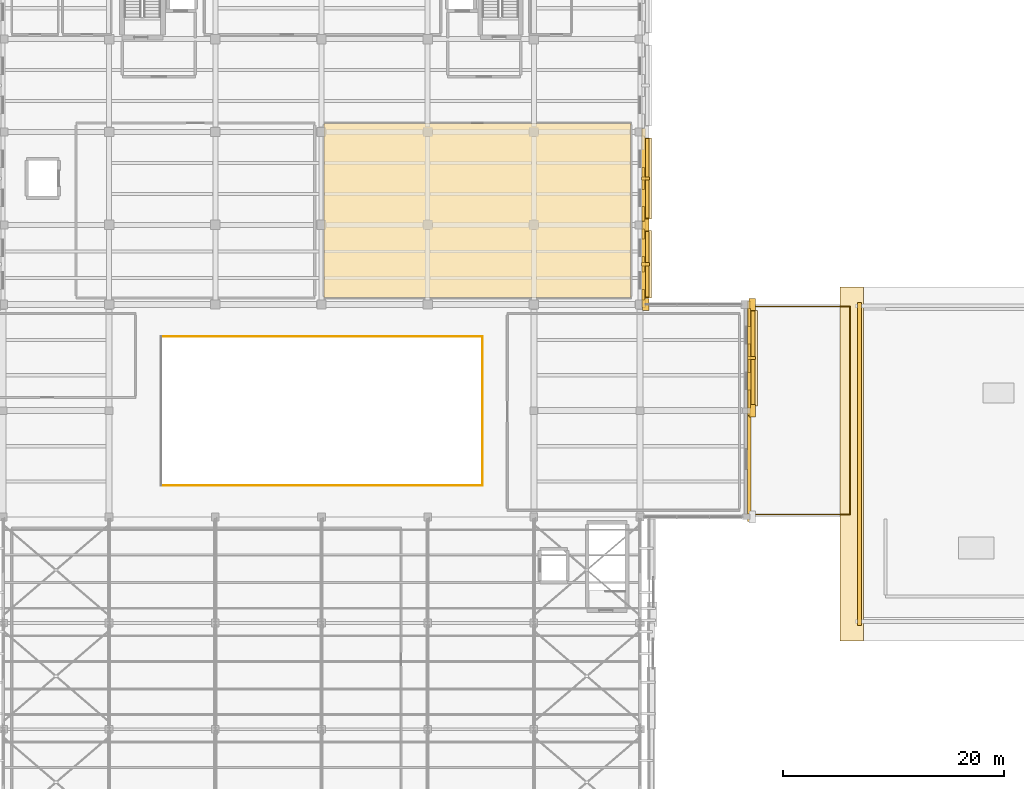
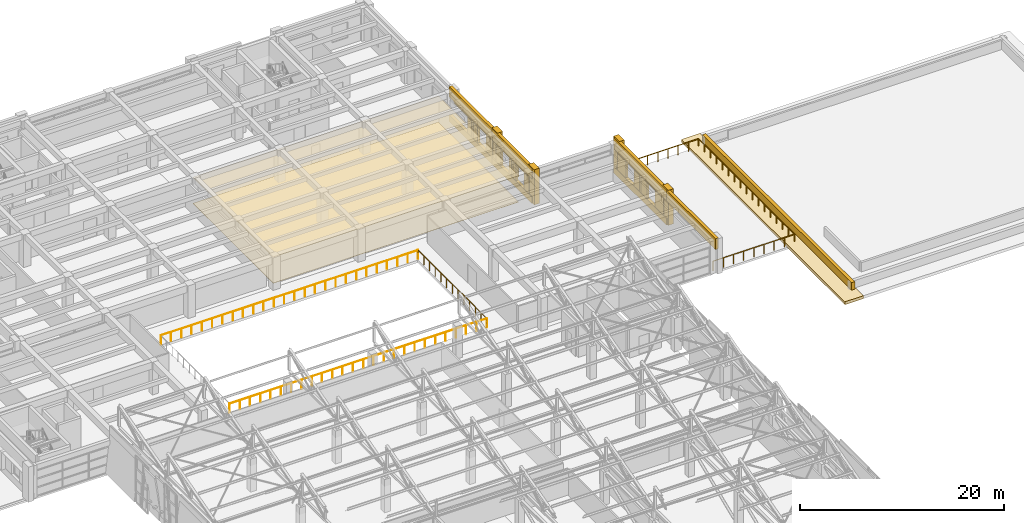
# One storey, part 69 of 71: 29 coverings, 4 railings, 3 shading devices.
"""IFC4 building model written with IfcOpenShell, lengths in metres."""

from ifc_helpers import new_model, si_unit, direction, frame, origin, origin_2d, place, context, subcontext, project, spatial, polyline, rectangle, circle, outline, extrude, material, layer, layer_set, type_object, element, save


model = new_model("IFC4")

# Units and contexts
model_context = context("Model", 3, precision=1e-05, world=origin(), true_north=direction((0.0, 1.0)))
body_context = subcontext(model_context, "Body", "Model", "MODEL_VIEW")
ifc_project = project(units=[si_unit("LENGTHUNIT", "METRE"), si_unit("AREAUNIT", "SQUARE_METRE"), si_unit("VOLUMEUNIT", "CUBIC_METRE"), si_unit("PLANEANGLEUNIT", "RADIAN"), si_unit("MASSUNIT", "GRAM", prefix="KILO")], contexts=[model_context])

# Site, building, storey
site_placement = place(None, origin())
site = spatial("IfcSite", under=ifc_project, at=site_placement, CompositionType="ELEMENT")
building_placement = place(site_placement, origin())
building = spatial("IfcBuilding", under=site, at=building_placement, Name="Bempovik Park Faculty of Sciences", CompositionType="ELEMENT")
storey_placement = place(building_placement, frame((0.0, 0.0, 14.10009765625)))
storey = spatial("IfcBuildingStorey", under=building, at=storey_placement, Name="L03", CompositionType="ELEMENT", Elevation=14.10009765625)

# Railing
ifc_material_1 = material(Name="Precast concrete C40/50", Category="concrete")
railing_type_1 = type_object("IfcRailingType", Name="BL-01 Terrace Balustrade 1150mm", PredefinedType="BALUSTRADE", material=ifc_material_1)
railing_1_placement = place(storey_placement, frame((127.39990234375, 68.0, 0.0)))
element("IfcRailing", 1, at=railing_1_placement, inside=storey, type_object=railing_type_1, Name="Terrace Classical Balustrade BAL-L03-E", PredefinedType="BALUSTRADE", context=body_context, shape_type="SweptSolid", body=[
    extrude(circle(Radius=0.02392578125, at=origin_2d()), frame((0.0, 0.0, 1.1259765625), z_axis=(1.0, 0.0, 0.0), x_axis=(0.0, 1.0, 0.0)), (0.0, 0.0, 1.0), 9.2001953125),
    extrude(circle(Radius=0.02392578125, at=origin_2d()), frame((9.2001953125, 0.0, 1.1259765625), z_axis=(0.0, 1.0, 0.0), x_axis=(-1.0, 0.0, 0.0)), (0.0, 0.0, 1.0), 18.800048828125),
    extrude(circle(Radius=0.02392578125, at=origin_2d()), frame((9.2001953125, 18.800048828125, 1.1259765625), z_axis=(-1.0, 0.0, 0.0), x_axis=(0.0, -1.0, 0.0)), (0.0, 0.0, 1.0), 9.2001953125),
    extrude(circle(Radius=0.02099609375, at=origin_2d()), origin(), (0.0, 0.0, 1.0), 1.101806640625),
    extrude(circle(Radius=0.02099609375, at=origin_2d()), frame((1.14990234375, 0.0, 0.0)), (0.0, 0.0, 1.0), 1.101806640625),
    extrude(circle(Radius=0.02099609375, at=origin_2d()), frame((2.300048828125, 0.0, 0.0)), (0.0, 0.0, 1.0), 1.101806640625),
    extrude(circle(Radius=0.02099609375, at=origin_2d()), frame((3.4501953125, 0.0, 0.0)), (0.0, 0.0, 1.0), 1.101806640625),
    extrude(circle(Radius=0.02099609375, at=origin_2d()), frame((4.60009765625, 0.0, 0.0)), (0.0, 0.0, 1.0), 1.101806640625),
    extrude(circle(Radius=0.02099609375, at=origin_2d()), frame((5.75, 0.0, 0.0)), (0.0, 0.0, 1.0), 1.101806640625),
    extrude(circle(Radius=0.02099609375, at=origin_2d()), frame((6.900146484375, 0.0, 0.0)), (0.0, 0.0, 1.0), 1.101806640625),
    extrude(circle(Radius=0.02099609375, at=origin_2d()), frame((8.05029296875, 0.0, 0.0)), (0.0, 0.0, 1.0), 1.101806640625),
    extrude(circle(Radius=0.02099609375, at=origin_2d()), frame((9.2001953125, 0.0, 0.0)), (0.0, 0.0, 1.0), 1.101806640625),
    extrude(circle(Radius=0.02099609375, at=origin_2d()), frame((9.2001953125, 1.175048828125, 0.0)), (0.0, 0.0, 1.0), 1.101806640625),
    extrude(circle(Radius=0.02099609375, at=origin_2d()), frame((9.2001953125, 2.35009765625, 0.0)), (0.0, 0.0, 1.0), 1.101806640625),
    extrude(circle(Radius=0.02099609375, at=origin_2d()), frame((9.2001953125, 3.52490234375, 0.0)), (0.0, 0.0, 1.0), 1.101806640625),
    extrude(circle(Radius=0.02099609375, at=origin_2d()), frame((9.2001953125, 4.699951171875, 0.0)), (0.0, 0.0, 1.0), 1.101806640625),
    extrude(circle(Radius=0.02099609375, at=origin_2d()), frame((9.2001953125, 5.875, 0.0)), (0.0, 0.0, 1.0), 1.101806640625),
    extrude(circle(Radius=0.02099609375, at=origin_2d()), frame((9.2001953125, 7.050048828125, 0.0)), (0.0, 0.0, 1.0), 1.101806640625),
    extrude(circle(Radius=0.02099609375, at=origin_2d()), frame((9.2001953125, 8.22509765625, 0.0)), (0.0, 0.0, 1.0), 1.101806640625),
    extrude(circle(Radius=0.02099609375, at=origin_2d()), frame((9.2001953125, 9.39990234375, 0.0)), (0.0, 0.0, 1.0), 1.101806640625),
    extrude(circle(Radius=0.02099609375, at=origin_2d()), frame((9.2001953125, 10.574951171875, 0.0)), (0.0, 0.0, 1.0), 1.101806640625),
    extrude(circle(Radius=0.02099609375, at=origin_2d()), frame((9.2001953125, 11.75, 0.0)), (0.0, 0.0, 1.0), 1.101806640625),
    extrude(circle(Radius=0.02099609375, at=origin_2d()), frame((9.2001953125, 12.925048828125, 0.0)), (0.0, 0.0, 1.0), 1.101806640625),
    extrude(circle(Radius=0.02099609375, at=origin_2d()), frame((9.2001953125, 14.10009765625, 0.0)), (0.0, 0.0, 1.0), 1.101806640625),
    extrude(circle(Radius=0.02099609375, at=origin_2d()), frame((9.2001953125, 15.275146484375, 0.0)), (0.0, 0.0, 1.0), 1.101806640625),
    extrude(circle(Radius=0.02099609375, at=origin_2d()), frame((9.2001953125, 16.449951171875, 0.0)), (0.0, 0.0, 1.0), 1.101806640625),
    extrude(circle(Radius=0.02099609375, at=origin_2d()), frame((9.2001953125, 17.625, 0.0)), (0.0, 0.0, 1.0), 1.101806640625),
    extrude(circle(Radius=0.02099609375, at=origin_2d()), frame((9.2001953125, 18.800048828125, 0.0)), (0.0, 0.0, 1.0), 1.101806640625),
    extrude(circle(Radius=0.02099609375, at=origin_2d()), frame((8.05029296875, 18.800048828125, 0.0)), (0.0, 0.0, 1.0), 1.101806640625),
    extrude(circle(Radius=0.02099609375, at=origin_2d()), frame((6.900146484375, 18.800048828125, 0.0)), (0.0, 0.0, 1.0), 1.101806640625),
    extrude(circle(Radius=0.02099609375, at=origin_2d()), frame((5.75, 18.800048828125, 0.0)), (0.0, 0.0, 1.0), 1.101806640625),
    extrude(circle(Radius=0.02099609375, at=origin_2d()), frame((4.60009765625, 18.800048828125, 0.0)), (0.0, 0.0, 1.0), 1.101806640625),
    extrude(circle(Radius=0.02099609375, at=origin_2d()), frame((3.4501953125, 18.800048828125, 0.0)), (0.0, 0.0, 1.0), 1.101806640625),
    extrude(circle(Radius=0.02099609375, at=origin_2d()), frame((2.300048828125, 18.800048828125, 0.0)), (0.0, 0.0, 1.0), 1.101806640625),
    extrude(circle(Radius=0.02099609375, at=origin_2d()), frame((1.14990234375, 18.800048828125, 0.0)), (0.0, 0.0, 1.0), 1.101806640625),
    extrude(circle(Radius=0.02099609375, at=origin_2d()), frame((0.0, 18.800048828125, 0.0)), (0.0, 0.0, 1.0), 1.101806640625),
])

# Coverings
ifc_material_2 = material(Name="Acoustic mineral ceiling tile")
ifc_layer_1 = layer(ifc_material_2, 0.0400390625)
ifc_layer_set_1 = layer_set([ifc_layer_1], Name="Acoustic mineral ceiling tile")
covering_type_1 = type_object("IfcCoveringType", Name="CE-01 Acoustic Ceiling 40mm", PredefinedType="CEILING", material=ifc_layer_set_1)
covering_1_placement = place(storey_placement, frame((0.0, 0.0, 3.10986328125)))
element("IfcCovering", 2, at=covering_1_placement, inside=storey, type_object=covering_type_1, Name="L03 Earth and Marine Academic Staff Offices Acoustic Ceiling", PredefinedType="CEILING", context=body_context, shape_type="SweptSolid", body=[
    extrude(outline(polyline([(89.030029296875, 87.6298828125), (116.77001953125, 87.6298828125), (116.77001953125, 103.3701171875), (89.030029296875, 103.3701171875), (89.030029296875, 87.6298828125)])), origin(), (0.0, 0.0, 1.0), 0.0400390625),
])
ifc_layer_2 = layer(ifc_material_1, 0.179931640625)
ifc_layer_set_2 = layer_set([ifc_layer_2], Name="Precast concrete C40/50")
covering_type_2 = type_object("IfcCoveringType", Name="CL-02 Classical Cornice Band 180mm", PredefinedType="CLADDING", material=ifc_layer_set_2)
covering_2_placement = place(storey_placement, frame((118.199951171875, 90.637451171875, 2.81005859375), z_axis=(0.0, 0.0, 1.0), x_axis=(1.0, 0.0, 0.0)))
element("IfcCovering", 3, at=covering_2_placement, inside=storey, type_object=covering_type_2, Name="L03 Classical Stone Solar Window Hood EW-L03-8575", PredefinedType="CLADDING", context=body_context, shape_type="SweptSolid", body=[
    extrude(rectangle(XDim=0.919921875, YDim=6.071044921875, at=origin_2d()), origin(), (0.0, 0.0, 1.0), 0.219970703125),
])
covering_3_placement = place(storey_placement, frame((118.199951171875, 98.39990234375, 2.81005859375), z_axis=(0.0, 0.0, 1.0), x_axis=(1.0, 0.0, 0.0)))
element("IfcCovering", 4, at=covering_3_placement, inside=storey, type_object=covering_type_2, Name="L03 Classical Stone Solar Window Hood EW-L03-8588", PredefinedType="CLADDING", context=body_context, shape_type="SweptSolid", body=[
    extrude(rectangle(XDim=0.919921875, YDim=7.345947265625, at=origin_2d()), origin(), (0.0, 0.0, 1.0), 0.219970703125),
])
covering_4_placement = place(storey_placement, frame((127.77001953125, 82.14990234375, 2.81005859375), z_axis=(0.0, 0.0, 1.0), x_axis=(1.0, 0.0, 0.0)))
element("IfcCovering", 5, at=covering_4_placement, inside=storey, type_object=covering_type_2, Name="L03 Classical Stone Solar Window Hood EW-L03-8646", PredefinedType="CLADDING", context=body_context, shape_type="SweptSolid", body=[
    extrude(rectangle(XDim=0.919921875, YDim=8.64599609375, at=origin_2d()), origin(), (0.0, 0.0, 1.0), 0.219970703125),
])
covering_5_placement = place(storey_placement, frame((136.75, 72.60009765625, -0.0703125), z_axis=(0.0, 0.0, 1.0), x_axis=(1.0, 0.0, 0.0)))
element("IfcCovering", 6, at=covering_5_placement, inside=storey, type_object=covering_type_2, Name="Classical Deep Overhanging Stone Eave V3MN-W", PredefinedType="CLADDING", context=body_context, shape_type="SweptSolid", body=[
    extrude(rectangle(XDim=2.10009765625, YDim=32.0, at=origin_2d()), origin(), (0.0, 0.0, 1.0), 0.340087890625),
])
ifc_material_3 = material(Name="White reconstituted limestone precast C40/50", Category="masonry")
ifc_layer_3 = layer(ifc_material_3, 0.239990234375)
ifc_layer_set_3 = layer_set([ifc_layer_3], Name="White reconstituted limestone precast C40/50")
covering_type_3 = type_object("IfcCoveringType", Name="CL-03 Classical Fluted Limestone Pilaster 240mm", PredefinedType="CLADDING", material=ifc_layer_set_3)
covering_6_placement = place(storey_placement, frame((117.909912109375, 90.637451171875, 2.919921875), z_axis=(0.0, 0.0, 1.0), x_axis=(1.0, 0.0, 0.0)))
element("IfcCovering", 7, at=covering_6_placement, inside=storey, type_object=covering_type_3, Name="L03 Classical Limestone Spandrel Entablature EW-L03-8575", PredefinedType="CLADDING", context=body_context, shape_type="SweptSolid", body=[
    extrude(rectangle(XDim=0.340087890625, YDim=7.77099609375, at=origin_2d()), origin(), (0.0, 0.0, 1.0), 1.280029296875),
])
covering_7_placement = place(storey_placement, frame((117.909912109375, 90.637451171875, 0.0), z_axis=(0.0, 0.0, 1.0), x_axis=(1.0, 0.0, 0.0)))
element("IfcCovering", 8, at=covering_7_placement, inside=storey, type_object=covering_type_3, Name="L03 Classical Limestone Sill Dado EW-L03-8575", PredefinedType="CLADDING", context=body_context, shape_type="SweptSolid", body=[
    extrude(rectangle(XDim=0.340087890625, YDim=7.77099609375, at=origin_2d()), origin(), (0.0, 0.0, 1.0), 0.780029296875),
])
for number, where, z_axis, x_axis, name in (
    (9, (118.1298828125, 87.0, 0.0), (0.0, 0.0, 1.0), (1.0, 0.0, 0.0), "L03 Classical Fluted Stone Pilaster PIL-BA-L03-1181-870"),
    (10, (118.1298828125, 94.199951171875, 0.0), (0.0, 0.0, 1.0), (1.0, 0.0, 0.0), "L03 Classical Fluted Stone Pilaster PIL-BA-L03-1181-942"),
):
    element("IfcCovering", number, at=place(storey_placement, frame(where, z_axis=z_axis, x_axis=x_axis)), inside=storey, type_object=covering_type_3, Name=name, PredefinedType="CLADDING", context=body_context, shape_type="SweptSolid", body=[
        extrude(rectangle(XDim=0.580078125, YDim=1.10009765625, at=origin_2d()), origin(), (0.0, 0.0, 1.0), 4.199951171875),
    ])
covering_8_placement = place(storey_placement, frame((117.89990234375, 87.89892578125, -0.000244140625), z_axis=(0.0, 0.0, 1.0), x_axis=(1.0, 0.0, 0.0)))
element("IfcCovering", 11, at=covering_8_placement, inside=storey, type_object=covering_type_3, Name="L03 White Limestone Wall Cheek EW-L03-8575-0", PredefinedType="CLADDING", context=body_context, shape_type="SweptSolid", body=[
    extrude(rectangle(XDim=0.239990234375, YDim=0.943603515625, at=origin_2d()), origin(), (0.0, 0.0, 1.0), 3.080078125),
])
covering_9_placement = place(storey_placement, frame((117.89990234375, 90.637451171875, -0.000244140625), z_axis=(0.0, 0.0, 1.0), x_axis=(1.0, 0.0, 0.0)))
element("IfcCovering", 12, at=covering_9_placement, inside=storey, type_object=covering_type_3, Name="L03 White Limestone Wall Cheek EW-L03-8575-2", PredefinedType="CLADDING", context=body_context, shape_type="SweptSolid", body=[
    extrude(rectangle(XDim=0.239990234375, YDim=1.37353515625, at=origin_2d()), origin(), (0.0, 0.0, 1.0), 3.080078125),
])
covering_10_placement = place(storey_placement, frame((117.89990234375, 93.376220703125, -0.000244140625), z_axis=(0.0, 0.0, 1.0), x_axis=(1.0, 0.0, 0.0)))
element("IfcCovering", 13, at=covering_10_placement, inside=storey, type_object=covering_type_3, Name="L03 White Limestone Wall Cheek EW-L03-8575-4", PredefinedType="CLADDING", context=body_context, shape_type="SweptSolid", body=[
    extrude(rectangle(XDim=0.239990234375, YDim=0.943603515625, at=origin_2d()), origin(), (0.0, 0.0, 1.0), 3.080078125),
])
covering_11_placement = place(storey_placement, frame((118.110107421875, 90.637451171875, 0.699951171875), z_axis=(0.0, 0.0, 1.0), x_axis=(1.0, 0.0, 0.0)))
element("IfcCovering", 14, at=covering_11_placement, inside=storey, type_object=covering_type_3, Name="L03 Classical Vertical Stone Shading Fin EW-L03-8575", PredefinedType="CLADDING", context=body_context, shape_type="SweptSolid", body=[
    extrude(rectangle(XDim=0.719970703125, YDim=0.280029296875, at=origin_2d()), origin(), (0.0, 0.0, 1.0), 2.14990234375),
])
covering_12_placement = place(storey_placement, frame((117.909912109375, 98.39990234375, 2.919921875), z_axis=(0.0, 0.0, 1.0), x_axis=(1.0, 0.0, 0.0)))
element("IfcCovering", 15, at=covering_12_placement, inside=storey, type_object=covering_type_3, Name="L03 Classical Limestone Spandrel Entablature EW-L03-8588", PredefinedType="CLADDING", context=body_context, shape_type="SweptSolid", body=[
    extrude(rectangle(XDim=0.340087890625, YDim=9.0458984375, at=origin_2d()), origin(), (0.0, 0.0, 1.0), 1.280029296875),
])
covering_13_placement = place(storey_placement, frame((117.909912109375, 98.39990234375, 0.0), z_axis=(0.0, 0.0, 1.0), x_axis=(1.0, 0.0, 0.0)))
element("IfcCovering", 16, at=covering_13_placement, inside=storey, type_object=covering_type_3, Name="L03 Classical Limestone Sill Dado EW-L03-8588", PredefinedType="CLADDING", context=body_context, shape_type="SweptSolid", body=[
    extrude(rectangle(XDim=0.340087890625, YDim=9.0458984375, at=origin_2d()), origin(), (0.0, 0.0, 1.0), 0.780029296875),
])
covering_14_placement = place(storey_placement, frame((117.89990234375, 95.196044921875, -0.000244140625), z_axis=(0.0, 0.0, 1.0), x_axis=(1.0, 0.0, 0.0)))
element("IfcCovering", 17, at=covering_14_placement, inside=storey, type_object=covering_type_3, Name="L03 White Limestone Wall Cheek EW-L03-8588-0", PredefinedType="CLADDING", context=body_context, shape_type="SweptSolid", body=[
    extrude(rectangle(XDim=0.239990234375, YDim=1.287841796875, at=origin_2d()), origin(), (0.0, 0.0, 1.0), 3.080078125),
])
covering_15_placement = place(storey_placement, frame((117.89990234375, 98.39990234375, -0.000244140625), z_axis=(0.0, 0.0, 1.0), x_axis=(1.0, 0.0, 0.0)))
element("IfcCovering", 18, at=covering_15_placement, inside=storey, type_object=covering_type_3, Name="L03 White Limestone Wall Cheek EW-L03-8588-2", PredefinedType="CLADDING", context=body_context, shape_type="SweptSolid", body=[
    extrude(rectangle(XDim=0.239990234375, YDim=1.960205078125, at=origin_2d()), origin(), (0.0, 0.0, 1.0), 3.080078125),
])
covering_16_placement = place(storey_placement, frame((118.110107421875, 98.39990234375, 0.699951171875), z_axis=(0.0, 0.0, 1.0), x_axis=(1.0, 0.0, 0.0)))
element("IfcCovering", 19, at=covering_16_placement, inside=storey, type_object=covering_type_3, Name="L03 Classical Vertical Stone Shading Fin EW-L03-8588", PredefinedType="CLADDING", context=body_context, shape_type="SweptSolid", body=[
    extrude(rectangle(XDim=0.719970703125, YDim=0.280029296875, at=origin_2d()), origin(), (0.0, 0.0, 1.0), 2.14990234375),
])
covering_17_placement = place(storey_placement, frame((127.47998046875, 72.60009765625, 2.919921875), z_axis=(0.0, 0.0, 1.0), x_axis=(1.0, 0.0, 0.0)))
element("IfcCovering", 20, at=covering_17_placement, inside=storey, type_object=covering_type_3, Name="L03 Classical Limestone Spandrel Entablature EW-L03-8642", PredefinedType="CLADDING", context=body_context, shape_type="SweptSolid", body=[
    extrude(rectangle(XDim=0.340087890625, YDim=10.446044921875, at=origin_2d()), origin(), (0.0, 0.0, 1.0), 1.280029296875),
])
covering_18_placement = place(storey_placement, frame((127.72998046875, 77.39990234375, 0.0), z_axis=(0.0, 0.0, 1.0), x_axis=(1.0, 0.0, 0.0)))
element("IfcCovering", 21, at=covering_18_placement, inside=storey, type_object=covering_type_3, Name="L03 Classical Fluted Stone Pilaster PIL-BA-L03-1277-774", PredefinedType="CLADDING", context=body_context, shape_type="SweptSolid", body=[
    extrude(rectangle(XDim=0.580078125, YDim=1.10009765625, at=origin_2d()), origin(), (0.0, 0.0, 1.0), 4.199951171875),
])
covering_19_placement = place(storey_placement, frame((127.47998046875, 82.14990234375, 2.919921875), z_axis=(0.0, 0.0, 1.0), x_axis=(1.0, 0.0, 0.0)))
element("IfcCovering", 22, at=covering_19_placement, inside=storey, type_object=covering_type_3, Name="L03 Classical Limestone Spandrel Entablature EW-L03-8646", PredefinedType="CLADDING", context=body_context, shape_type="SweptSolid", body=[
    extrude(rectangle(XDim=0.340087890625, YDim=10.345947265625, at=origin_2d()), origin(), (0.0, 0.0, 1.0), 1.280029296875),
])
covering_20_placement = place(storey_placement, frame((127.47998046875, 82.14990234375, 0.0), z_axis=(0.0, 0.0, 1.0), x_axis=(1.0, 0.0, 0.0)))
element("IfcCovering", 23, at=covering_20_placement, inside=storey, type_object=covering_type_3, Name="L03 Classical Limestone Sill Dado EW-L03-8646", PredefinedType="CLADDING", context=body_context, shape_type="SweptSolid", body=[
    extrude(rectangle(XDim=0.340087890625, YDim=10.345947265625, at=origin_2d()), origin(), (0.0, 0.0, 1.0), 0.780029296875),
])
covering_21_placement = place(storey_placement, frame((127.72998046875, 87.0, 0.0), z_axis=(0.0, 0.0, 1.0), x_axis=(1.0, 0.0, 0.0)))
element("IfcCovering", 24, at=covering_21_placement, inside=storey, type_object=covering_type_3, Name="L03 Classical Fluted Stone Pilaster PIL-BA-L03-1277-870", PredefinedType="CLADDING", context=body_context, shape_type="SweptSolid", body=[
    extrude(rectangle(XDim=0.580078125, YDim=1.10009765625, at=origin_2d()), origin(), (0.0, 0.0, 1.0), 4.199951171875),
])
covering_22_placement = place(storey_placement, frame((127.469970703125, 78.471435546875, -0.000244140625), z_axis=(0.0, 0.0, 1.0), x_axis=(1.0, 0.0, 0.0)))
element("IfcCovering", 25, at=covering_22_placement, inside=storey, type_object=covering_type_3, Name="L03 White Limestone Wall Cheek EW-L03-8646-0", PredefinedType="CLADDING", context=body_context, shape_type="SweptSolid", body=[
    extrude(rectangle(XDim=0.239990234375, YDim=1.638916015625, at=origin_2d()), origin(), (0.0, 0.0, 1.0), 3.080078125),
])
covering_23_placement = place(storey_placement, frame((127.469970703125, 82.14990234375, -0.000244140625), z_axis=(0.0, 0.0, 1.0), x_axis=(1.0, 0.0, 0.0)))
element("IfcCovering", 26, at=covering_23_placement, inside=storey, type_object=covering_type_3, Name="L03 White Limestone Wall Cheek EW-L03-8646-2", PredefinedType="CLADDING", context=body_context, shape_type="SweptSolid", body=[
    extrude(rectangle(XDim=0.239990234375, YDim=2.55810546875, at=origin_2d()), origin(), (0.0, 0.0, 1.0), 3.080078125),
])
covering_24_placement = place(storey_placement, frame((127.469970703125, 85.82861328125, -0.000244140625), z_axis=(0.0, 0.0, 1.0), x_axis=(1.0, 0.0, 0.0)))
element("IfcCovering", 27, at=covering_24_placement, inside=storey, type_object=covering_type_3, Name="L03 White Limestone Wall Cheek EW-L03-8646-4", PredefinedType="CLADDING", context=body_context, shape_type="SweptSolid", body=[
    extrude(rectangle(XDim=0.239990234375, YDim=1.638916015625, at=origin_2d()), origin(), (0.0, 0.0, 1.0), 3.080078125),
])
covering_25_placement = place(storey_placement, frame((127.679931640625, 82.14990234375, 0.699951171875), z_axis=(0.0, 0.0, 1.0), x_axis=(1.0, 0.0, 0.0)))
element("IfcCovering", 28, at=covering_25_placement, inside=storey, type_object=covering_type_3, Name="L03 Classical Vertical Stone Shading Fin EW-L03-8646", PredefinedType="CLADDING", context=body_context, shape_type="SweptSolid", body=[
    extrude(rectangle(XDim=0.719970703125, YDim=0.280029296875, at=origin_2d()), origin(), (0.0, 0.0, 1.0), 2.14990234375),
])
covering_26_placement = place(storey_placement, frame((137.449951171875, 72.60009765625, 0.10498046875), z_axis=(0.0, 0.0, 1.0), x_axis=(1.0, 0.0, 0.0)))
element("IfcCovering", 29, at=covering_26_placement, inside=storey, type_object=covering_type_3, Name="White Limestone Attic Fascia V3MN-W", PredefinedType="CLADDING", context=body_context, shape_type="SweptSolid", body=[
    extrude(rectangle(XDim=0.360107421875, YDim=29.199951171875, at=origin_2d()), origin(), (0.0, 0.0, 1.0), 1.050048828125),
])
ifc_material_4 = material(Name="Polished mineral terrazzo flooring")
ifc_layer_4 = layer(ifc_material_4, 0.030029296875)
ifc_layer_set_4 = layer_set([ifc_layer_4], Name="Polished mineral terrazzo flooring")
covering_type_4 = type_object("IfcCoveringType", Name="FL-01 Terrazzo Flooring 30mm", PredefinedType="FLOORING", material=ifc_layer_set_4)
covering_27_placement = place(storey_placement, origin())
element("IfcCovering", 30, at=covering_27_placement, inside=storey, type_object=covering_type_4, Name="L03 Earth and Marine Academic Staff Offices Terrazzo Flooring", PredefinedType="FLOORING", context=body_context, shape_type="SweptSolid", body=[
    extrude(outline(polyline([(89.030029296875, 87.6298828125), (116.77001953125, 87.6298828125), (116.77001953125, 103.3701171875), (89.030029296875, 103.3701171875), (89.030029296875, 87.6298828125)])), origin(), (0.0, 0.0, 1.0), 0.02978515625),
])

# Railings
ifc_material_5 = material(Name="Anodised architectural bronze")
railing_type_2 = type_object("IfcRailingType", Name="GR-01 Guardrail 1120mm", PredefinedType="GUARDRAIL", material=ifc_material_5)
railing_2_placement = place(storey_placement, frame((74.27490234375, 70.64990234375, 0.0)))
element("IfcRailing", 31, at=railing_2_placement, inside=storey, type_object=railing_type_2, Name="L03 Atrium Void South Guardrail", PredefinedType="GUARDRAIL", context=body_context, shape_type="SweptSolid", body=[
    extrude(circle(Radius=0.02392578125, at=origin_2d()), frame((0.0, 0.0, 1.09619140625), z_axis=(1.0, 0.0, 0.0), x_axis=(0.0, 1.0, 0.0)), (0.0, 0.0, 1.0), 29.0751953125),
    extrude(circle(Radius=0.02099609375, at=origin_2d()), origin(), (0.0, 0.0, 1.0), 1.072021484375),
    extrude(circle(Radius=0.02099609375, at=origin_2d()), frame((1.1630859375, 0.0, 0.0)), (0.0, 0.0, 1.0), 1.072021484375),
    extrude(circle(Radius=0.02099609375, at=origin_2d()), frame((2.325927734375, 0.0, 0.0)), (0.0, 0.0, 1.0), 1.072021484375),
    extrude(circle(Radius=0.02099609375, at=origin_2d()), frame((3.489013671875, 0.0, 0.0)), (0.0, 0.0, 1.0), 1.072021484375),
    extrude(circle(Radius=0.02099609375, at=origin_2d()), frame((4.652099609375, 0.0, 0.0)), (0.0, 0.0, 1.0), 1.072021484375),
    extrude(circle(Radius=0.02099609375, at=origin_2d()), frame((5.81494140625, 0.0, 0.0)), (0.0, 0.0, 1.0), 1.072021484375),
    extrude(circle(Radius=0.02099609375, at=origin_2d()), frame((6.97802734375, 0.0, 0.0)), (0.0, 0.0, 1.0), 1.072021484375),
    extrude(circle(Radius=0.02099609375, at=origin_2d()), frame((8.14111328125, 0.0, 0.0)), (0.0, 0.0, 1.0), 1.072021484375),
    extrude(circle(Radius=0.02099609375, at=origin_2d()), frame((9.303955078125, 0.0, 0.0)), (0.0, 0.0, 1.0), 1.072021484375),
    extrude(circle(Radius=0.02099609375, at=origin_2d()), frame((10.467041015625, 0.0, 0.0)), (0.0, 0.0, 1.0), 1.072021484375),
    extrude(circle(Radius=0.02099609375, at=origin_2d()), frame((11.630126953125, 0.0, 0.0)), (0.0, 0.0, 1.0), 1.072021484375),
    extrude(circle(Radius=0.02099609375, at=origin_2d()), frame((12.79296875, 0.0, 0.0)), (0.0, 0.0, 1.0), 1.072021484375),
    extrude(circle(Radius=0.02099609375, at=origin_2d()), frame((13.9560546875, 0.0, 0.0)), (0.0, 0.0, 1.0), 1.072021484375),
    extrude(circle(Radius=0.02099609375, at=origin_2d()), frame((15.119140625, 0.0, 0.0)), (0.0, 0.0, 1.0), 1.072021484375),
    extrude(circle(Radius=0.02099609375, at=origin_2d()), frame((16.2822265625, 0.0, 0.0)), (0.0, 0.0, 1.0), 1.072021484375),
    extrude(circle(Radius=0.02099609375, at=origin_2d()), frame((17.445068359375, 0.0, 0.0)), (0.0, 0.0, 1.0), 1.072021484375),
    extrude(circle(Radius=0.02099609375, at=origin_2d()), frame((18.608154296875, 0.0, 0.0)), (0.0, 0.0, 1.0), 1.072021484375),
    extrude(circle(Radius=0.02099609375, at=origin_2d()), frame((19.771240234375, 0.0, 0.0)), (0.0, 0.0, 1.0), 1.072021484375),
    extrude(circle(Radius=0.02099609375, at=origin_2d()), frame((20.93408203125, 0.0, 0.0)), (0.0, 0.0, 1.0), 1.072021484375),
    extrude(circle(Radius=0.02099609375, at=origin_2d()), frame((22.09716796875, 0.0, 0.0)), (0.0, 0.0, 1.0), 1.072021484375),
    extrude(circle(Radius=0.02099609375, at=origin_2d()), frame((23.26025390625, 0.0, 0.0)), (0.0, 0.0, 1.0), 1.072021484375),
    extrude(circle(Radius=0.02099609375, at=origin_2d()), frame((24.423095703125, 0.0, 0.0)), (0.0, 0.0, 1.0), 1.072021484375),
    extrude(circle(Radius=0.02099609375, at=origin_2d()), frame((25.586181640625, 0.0, 0.0)), (0.0, 0.0, 1.0), 1.072021484375),
    extrude(circle(Radius=0.02099609375, at=origin_2d()), frame((26.749267578125, 0.0, 0.0)), (0.0, 0.0, 1.0), 1.072021484375),
    extrude(circle(Radius=0.02099609375, at=origin_2d()), frame((27.912109375, 0.0, 0.0)), (0.0, 0.0, 1.0), 1.072021484375),
    extrude(circle(Radius=0.02099609375, at=origin_2d()), frame((29.0751953125, 0.0, 0.0)), (0.0, 0.0, 1.0), 1.072021484375),
])
railing_3_placement = place(storey_placement, frame((74.27490234375, 84.10009765625, 0.0)))
element("IfcRailing", 32, at=railing_3_placement, inside=storey, type_object=railing_type_2, Name="L03 Atrium Void North Guardrail", PredefinedType="GUARDRAIL", context=body_context, shape_type="SweptSolid", body=[
    extrude(circle(Radius=0.02392578125, at=origin_2d()), frame((0.0, 0.0, 1.09619140625), z_axis=(1.0, 0.0, 0.0), x_axis=(0.0, 1.0, 0.0)), (0.0, 0.0, 1.0), 29.0751953125),
    extrude(circle(Radius=0.02099609375, at=origin_2d()), origin(), (0.0, 0.0, 1.0), 1.072021484375),
    extrude(circle(Radius=0.02099609375, at=origin_2d()), frame((1.1630859375, 0.0, 0.0)), (0.0, 0.0, 1.0), 1.072021484375),
    extrude(circle(Radius=0.02099609375, at=origin_2d()), frame((2.325927734375, 0.0, 0.0)), (0.0, 0.0, 1.0), 1.072021484375),
    extrude(circle(Radius=0.02099609375, at=origin_2d()), frame((3.489013671875, 0.0, 0.0)), (0.0, 0.0, 1.0), 1.072021484375),
    extrude(circle(Radius=0.02099609375, at=origin_2d()), frame((4.652099609375, 0.0, 0.0)), (0.0, 0.0, 1.0), 1.072021484375),
    extrude(circle(Radius=0.02099609375, at=origin_2d()), frame((5.81494140625, 0.0, 0.0)), (0.0, 0.0, 1.0), 1.072021484375),
    extrude(circle(Radius=0.02099609375, at=origin_2d()), frame((6.97802734375, 0.0, 0.0)), (0.0, 0.0, 1.0), 1.072021484375),
    extrude(circle(Radius=0.02099609375, at=origin_2d()), frame((8.14111328125, 0.0, 0.0)), (0.0, 0.0, 1.0), 1.072021484375),
    extrude(circle(Radius=0.02099609375, at=origin_2d()), frame((9.303955078125, 0.0, 0.0)), (0.0, 0.0, 1.0), 1.072021484375),
    extrude(circle(Radius=0.02099609375, at=origin_2d()), frame((10.467041015625, 0.0, 0.0)), (0.0, 0.0, 1.0), 1.072021484375),
    extrude(circle(Radius=0.02099609375, at=origin_2d()), frame((11.630126953125, 0.0, 0.0)), (0.0, 0.0, 1.0), 1.072021484375),
    extrude(circle(Radius=0.02099609375, at=origin_2d()), frame((12.79296875, 0.0, 0.0)), (0.0, 0.0, 1.0), 1.072021484375),
    extrude(circle(Radius=0.02099609375, at=origin_2d()), frame((13.9560546875, 0.0, 0.0)), (0.0, 0.0, 1.0), 1.072021484375),
    extrude(circle(Radius=0.02099609375, at=origin_2d()), frame((15.119140625, 0.0, 0.0)), (0.0, 0.0, 1.0), 1.072021484375),
    extrude(circle(Radius=0.02099609375, at=origin_2d()), frame((16.2822265625, 0.0, 0.0)), (0.0, 0.0, 1.0), 1.072021484375),
    extrude(circle(Radius=0.02099609375, at=origin_2d()), frame((17.445068359375, 0.0, 0.0)), (0.0, 0.0, 1.0), 1.072021484375),
    extrude(circle(Radius=0.02099609375, at=origin_2d()), frame((18.608154296875, 0.0, 0.0)), (0.0, 0.0, 1.0), 1.072021484375),
    extrude(circle(Radius=0.02099609375, at=origin_2d()), frame((19.771240234375, 0.0, 0.0)), (0.0, 0.0, 1.0), 1.072021484375),
    extrude(circle(Radius=0.02099609375, at=origin_2d()), frame((20.93408203125, 0.0, 0.0)), (0.0, 0.0, 1.0), 1.072021484375),
    extrude(circle(Radius=0.02099609375, at=origin_2d()), frame((22.09716796875, 0.0, 0.0)), (0.0, 0.0, 1.0), 1.072021484375),
    extrude(circle(Radius=0.02099609375, at=origin_2d()), frame((23.26025390625, 0.0, 0.0)), (0.0, 0.0, 1.0), 1.072021484375),
    extrude(circle(Radius=0.02099609375, at=origin_2d()), frame((24.423095703125, 0.0, 0.0)), (0.0, 0.0, 1.0), 1.072021484375),
    extrude(circle(Radius=0.02099609375, at=origin_2d()), frame((25.586181640625, 0.0, 0.0)), (0.0, 0.0, 1.0), 1.072021484375),
    extrude(circle(Radius=0.02099609375, at=origin_2d()), frame((26.749267578125, 0.0, 0.0)), (0.0, 0.0, 1.0), 1.072021484375),
    extrude(circle(Radius=0.02099609375, at=origin_2d()), frame((27.912109375, 0.0, 0.0)), (0.0, 0.0, 1.0), 1.072021484375),
    extrude(circle(Radius=0.02099609375, at=origin_2d()), frame((29.0751953125, 0.0, 0.0)), (0.0, 0.0, 1.0), 1.072021484375),
])
railing_4_placement = place(storey_placement, frame((103.35009765625, 70.64990234375, 0.0)))
element("IfcRailing", 33, at=railing_4_placement, inside=storey, type_object=railing_type_2, Name="L03 Atrium Void East Guardrail", PredefinedType="GUARDRAIL", context=body_context, shape_type="SweptSolid", body=[
    extrude(circle(Radius=0.02392578125, at=origin_2d()), frame((0.0, 0.0, 1.09619140625), z_axis=(0.0, 1.0, 0.0), x_axis=(-1.0, 0.0, 0.0)), (0.0, 0.0, 1.0), 13.4501953125),
    extrude(circle(Radius=0.02099609375, at=origin_2d()), origin(), (0.0, 0.0, 1.0), 1.072021484375),
    extrude(circle(Radius=0.02099609375, at=origin_2d()), frame((0.0, 1.120849609375, 0.0)), (0.0, 0.0, 1.0), 1.072021484375),
    extrude(circle(Radius=0.02099609375, at=origin_2d()), frame((0.0, 2.24169921875, 0.0)), (0.0, 0.0, 1.0), 1.072021484375),
    extrude(circle(Radius=0.02099609375, at=origin_2d()), frame((0.0, 3.362548828125, 0.0)), (0.0, 0.0, 1.0), 1.072021484375),
    extrude(circle(Radius=0.02099609375, at=origin_2d()), frame((0.0, 4.4833984375, 0.0)), (0.0, 0.0, 1.0), 1.072021484375),
    extrude(circle(Radius=0.02099609375, at=origin_2d()), frame((0.0, 5.604248046875, 0.0)), (0.0, 0.0, 1.0), 1.072021484375),
    extrude(circle(Radius=0.02099609375, at=origin_2d()), frame((0.0, 6.72509765625, 0.0)), (0.0, 0.0, 1.0), 1.072021484375),
    extrude(circle(Radius=0.02099609375, at=origin_2d()), frame((0.0, 7.845947265625, 0.0)), (0.0, 0.0, 1.0), 1.072021484375),
    extrude(circle(Radius=0.02099609375, at=origin_2d()), frame((0.0, 8.966796875, 0.0)), (0.0, 0.0, 1.0), 1.072021484375),
    extrude(circle(Radius=0.02099609375, at=origin_2d()), frame((0.0, 10.087646484375, 0.0)), (0.0, 0.0, 1.0), 1.072021484375),
    extrude(circle(Radius=0.02099609375, at=origin_2d()), frame((0.0, 11.20849609375, 0.0)), (0.0, 0.0, 1.0), 1.072021484375),
    extrude(circle(Radius=0.02099609375, at=origin_2d()), frame((0.0, 12.329345703125, 0.0)), (0.0, 0.0, 1.0), 1.072021484375),
    extrude(circle(Radius=0.02099609375, at=origin_2d()), frame((0.0, 13.4501953125, 0.0)), (0.0, 0.0, 1.0), 1.072021484375),
])

# Shading devices
ifc_layer_5 = layer(ifc_material_5, 0.06005859375)
ifc_layer_set_5 = layer_set([ifc_layer_5], Name="Anodised architectural bronze")
shading_device_type = type_object("IfcShadingDeviceType", Name="SH-01 Bronze Brise-Soleil Fin", PredefinedType="USERDEFINED", material=ifc_layer_set_5)
shading_device_1_placement = place(storey_placement, frame((118.080078125, 90.637451171875, 2.749755859375), z_axis=(0.0, 0.0, 1.0), x_axis=(1.0, 0.0, 0.0)))
element("IfcShadingDevice", 34, at=shading_device_1_placement, inside=storey, type_object=shading_device_type, Name="L03 Equatorial Bronze Brise-Soleil EW-L03-8575", ObjectType="BRISE SOLEIL", PredefinedType="USERDEFINED", context=body_context, shape_type="SweptSolid", body=[
    extrude(rectangle(XDim=0.64990234375, YDim=5.9208984375, at=origin_2d()), origin(), (0.0, 0.0, 1.0), 0.06005859375),
])
shading_device_2_placement = place(storey_placement, frame((118.080078125, 98.39990234375, 2.749755859375), z_axis=(0.0, 0.0, 1.0), x_axis=(1.0, 0.0, 0.0)))
element("IfcShadingDevice", 35, at=shading_device_2_placement, inside=storey, type_object=shading_device_type, Name="L03 Equatorial Bronze Brise-Soleil EW-L03-8588", ObjectType="BRISE SOLEIL", PredefinedType="USERDEFINED", context=body_context, shape_type="SweptSolid", body=[
    extrude(rectangle(XDim=0.64990234375, YDim=7.196044921875, at=origin_2d()), origin(), (0.0, 0.0, 1.0), 0.06005859375),
])
shading_device_3_placement = place(storey_placement, frame((127.64990234375, 82.14990234375, 2.749755859375), z_axis=(0.0, 0.0, 1.0), x_axis=(1.0, 0.0, 0.0)))
element("IfcShadingDevice", 36, at=shading_device_3_placement, inside=storey, type_object=shading_device_type, Name="L03 Equatorial Bronze Brise-Soleil EW-L03-8646", ObjectType="BRISE SOLEIL", PredefinedType="USERDEFINED", context=body_context, shape_type="SweptSolid", body=[
    extrude(rectangle(XDim=0.64990234375, YDim=8.49609375, at=origin_2d()), origin(), (0.0, 0.0, 1.0), 0.06005859375),
])

save(model, "model.ifc")
